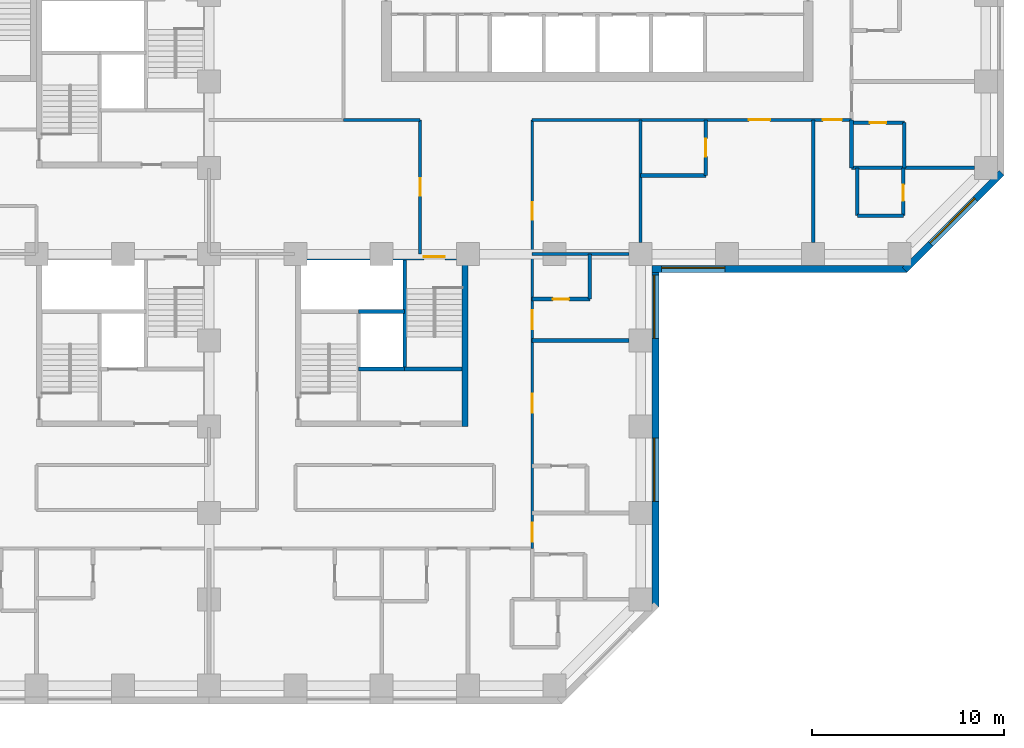
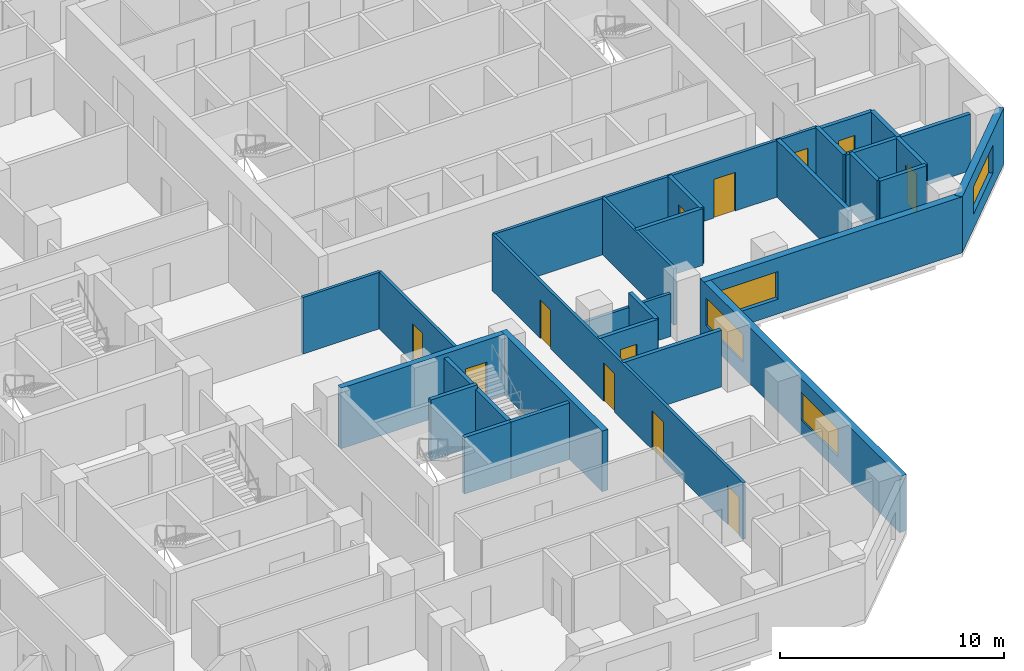
# One storey, part 5 of 12: 28 walls, 12 doors, 4 windows, 16 openings.
"""IFC4 building model written with IfcOpenShell, lengths in metres."""

from ifc_helpers import new_model, si_unit, direction, frame, frame_2d, origin, place, context, subcontext, project, spatial, rectangle, extrude, material, layer, layer_set, constituent, constituent_set, type_object, element, fill, save


model = new_model("IFC4")

# Units and contexts
model_context = context("Model", 3, precision=1e-05, world=origin(), true_north=direction((0.0, 1.0)))
body_context = subcontext(model_context, "Body", "Model", "MODEL_VIEW")
ifc_project = project(units=[si_unit("LENGTHUNIT", "METRE"), si_unit("AREAUNIT", "SQUARE_METRE"), si_unit("VOLUMEUNIT", "CUBIC_METRE"), si_unit("PLANEANGLEUNIT", "RADIAN"), si_unit("MASSUNIT", "GRAM", prefix="KILO")], contexts=[model_context])

# Site, building, storey
site_placement = place(None, origin())
site = spatial("IfcSite", under=ifc_project, at=site_placement, CompositionType="ELEMENT")
building_placement = place(site_placement, origin())
building = spatial("IfcBuilding", under=site, at=building_placement, Name="Quoin Convention Tower", CompositionType="ELEMENT")
storey_placement = place(building_placement, frame((0.0, 0.0, 33.0)))
storey = spatial("IfcBuildingStorey", under=building, at=storey_placement, Name="L07", CompositionType="ELEMENT", Elevation=33.0)

# Wall, openings, windows
ifc_material_1 = material(Name="Brick masonry", Category="masonry")
ifc_layer_1 = layer(ifc_material_1, 0.35009765625)
ifc_layer_set_1 = layer_set([ifc_layer_1], Name="Brick masonry")
wall_type_1 = type_object("IfcWallType", Name="Brick facade wall", PredefinedType="STANDARD", material=ifc_layer_set_1)
wall_1_placement = place(storey_placement, frame((59.27490234375, 22.1064453125, 0.0), z_axis=(0.0, 0.0, 1.0), x_axis=(0.0, 1.0, 0.0)))
wall_1 = element("IfcWall", 1, at=wall_1_placement, inside=storey, type_object=wall_type_1, Name="fw-L07-58500_22500", PredefinedType="STANDARD", context=body_context, shape_type="SweptSolid", body=[
    extrude(rectangle(XDim=17.79345703125, YDim=0.35009765625, at=frame_2d((8.896728515625, 0.0))), origin(), (0.0, 0.0, 1.0), 3.054931640625),
])
opening_1_placement = place(wall_1_placement, frame((5.493408203125, 0.0, 0.800048828125)))
opening_1 = element("IfcOpeningElement", 2, at=opening_1_placement, cuts=wall_1, Name="Opening W-01", PredefinedType="OPENING", context=body_context, shape_type="SweptSolid", body=[
    extrude(rectangle(XDim=3.300048828125, YDim=1.5, at=frame_2d((1.64990234375, 0.75))), frame((0.0, 0.18505859375, 0.0), z_axis=(0.0, -1.0, 0.0), x_axis=(1.0, 0.0, 0.0)), (0.0, 0.0, 1.0), 0.3701171875),
])
opening_2_placement = place(wall_1_placement, frame((13.993408203125, 0.0, 0.800048828125)))
opening_2 = element("IfcOpeningElement", 3, at=opening_2_placement, cuts=wall_1, Name="Opening W-01", PredefinedType="OPENING", context=body_context, shape_type="SweptSolid", body=[
    extrude(rectangle(XDim=3.300048828125, YDim=1.5, at=frame_2d((1.64990234375, 0.75))), frame((0.0, 0.18505859375, 0.0), z_axis=(0.0, -1.0, 0.0), x_axis=(1.0, 0.0, 0.0)), (0.0, 0.0, 1.0), 0.3701171875),
])
ifc_material_2 = material(Name="Aluminium", Category="aluminium")
ifc_constituent_1 = constituent(ifc_material_2, Name="Frame")
ifc_material_3 = material(Name="Insulated glass", Category="glass")
ifc_constituent_2 = constituent(ifc_material_3, Name="Glazing")
ifc_constituent_set = constituent_set(constituents=[ifc_constituent_1, ifc_constituent_2], Name="Aluminium")
window_type = type_object("IfcWindowType", Name="Hotel strip window", PartitioningType="DOUBLE_PANEL_VERTICAL", PredefinedType="WINDOW", material=ifc_constituent_set)
window_1_placement = place(opening_1_placement, origin())
window_1 = element("IfcWindow", 4, at=window_1_placement, inside=storey, type_object=window_type, Name="win-L07-59275_29250", OverallHeight=1.5, OverallWidth=3.300048828125, PartitioningType="SINGLE_PANEL", PredefinedType="WINDOW", context=body_context, shape_type="SweptSolid", body=[
    extrude(rectangle(XDim=3.300048828125, YDim=1.5, at=frame_2d((1.64990234375, 0.75))), frame((0.0, 0.0849609375, 0.0), z_axis=(0.0, -1.0, 0.0), x_axis=(1.0, 0.0, 0.0)), (0.0, 0.0, 1.0), 0.06005859375),
])
fill(opening_1, window_1)
window_2_placement = place(opening_2_placement, origin())
window_2 = element("IfcWindow", 5, at=window_2_placement, inside=storey, type_object=window_type, Name="win-L07-59275_38250", OverallHeight=1.5, OverallWidth=3.300048828125, PartitioningType="SINGLE_PANEL", PredefinedType="WINDOW", context=body_context, shape_type="SweptSolid", body=[
    extrude(rectangle(XDim=3.300048828125, YDim=1.5, at=frame_2d((1.64990234375, 0.75))), frame((0.0, 0.0849609375, 0.0), z_axis=(0.0, -1.0, 0.0), x_axis=(1.0, 0.0, 0.0)), (0.0, 0.0, 1.0), 0.06005859375),
])
fill(opening_2, window_2)

# Wall, opening, window
wall_2_placement = place(storey_placement, frame((59.10009765625, 39.72509765625, 0.0), z_axis=(0.0, 0.0, 1.0), x_axis=(1.0, 0.0, 0.0)))
wall_2 = element("IfcWall", 6, at=wall_2_placement, inside=storey, type_object=wall_type_1, Name="fw-L07-58500_40500", PredefinedType="STANDARD", context=body_context, shape_type="SweptSolid", body=[
    extrude(rectangle(XDim=13.29345703125, YDim=0.35009765625, at=frame_2d((6.646728515625, 0.0))), origin(), (0.0, 0.0, 1.0), 3.054931640625),
])
opening_3_placement = place(wall_2_placement, frame((0.5, 0.0, 0.800048828125)))
opening_3 = element("IfcOpeningElement", 7, at=opening_3_placement, cuts=wall_2, Name="Opening W-01", PredefinedType="OPENING", context=body_context, shape_type="SweptSolid", body=[
    extrude(rectangle(XDim=3.300048828125, YDim=1.5, at=frame_2d((1.64990234375, 0.75))), frame((0.0, 0.18505859375, 0.0), z_axis=(0.0, -1.0, 0.0), x_axis=(1.0, 0.0, 0.0)), (0.0, 0.0, 1.0), 0.3701171875),
])
window_3_placement = place(opening_3_placement, origin())
window_3 = element("IfcWindow", 8, at=window_3_placement, inside=storey, type_object=window_type, Name="win-L07-60750_39725", OverallHeight=1.5, OverallWidth=3.300048828125, PartitioningType="SINGLE_PANEL", PredefinedType="WINDOW", context=body_context, shape_type="SweptSolid", body=[
    extrude(rectangle(XDim=3.300048828125, YDim=1.5, at=frame_2d((1.64990234375, 0.75))), frame((0.0, 0.0849609375, 0.0), z_axis=(0.0, -1.0, 0.0), x_axis=(1.0, 0.0, 0.0)), (0.0, 0.0, 1.0), 0.06005859375),
])
fill(opening_3, window_3)

wall_3_placement = place(storey_placement, frame((72.269775390625, 39.673583984375, 0.0), z_axis=(0.0, 0.0, 1.0), x_axis=(0.707106781187, 0.707106781187, 0.0)))
wall_3 = element("IfcWall", 9, at=wall_3_placement, inside=storey, type_object=wall_type_1, Name="fw-L07-72000_40500", PredefinedType="STANDARD", context=body_context, shape_type="SweptSolid", body=[
    extrude(rectangle(XDim=7.151123046875, YDim=0.35009765625, at=frame_2d((3.57568359375, 0.0))), origin(), (0.0, 0.0, 1.0), 3.054931640625),
])
opening_4_placement = place(wall_3_placement, frame((1.925537109375, 0.0, 0.800048828125)))
opening_4 = element("IfcOpeningElement", 10, at=opening_4_placement, cuts=wall_3, Name="Opening W-01", PredefinedType="OPENING", context=body_context, shape_type="SweptSolid", body=[
    extrude(rectangle(XDim=3.300048828125, YDim=1.5, at=frame_2d((1.64990234375, 0.75))), frame((0.0, 0.18505859375, 0.0), z_axis=(0.0, -1.0, 0.0), x_axis=(1.0, 0.0, 0.0)), (0.0, 0.0, 1.0), 0.3701171875),
])
window_4_placement = place(opening_4_placement, origin())
window_4 = element("IfcWindow", 11, at=window_4_placement, inside=storey, type_object=window_type, Name="win-L07-74798_42202", OverallHeight=1.5, OverallWidth=3.300048828125, PartitioningType="SINGLE_PANEL", PredefinedType="WINDOW", context=body_context, shape_type="SweptSolid", body=[
    extrude(rectangle(XDim=3.300048828125, YDim=1.5, at=frame_2d((1.64990234375, 0.75))), frame((0.0, 0.0849609375, 0.0), z_axis=(0.0, -1.0, 0.0), x_axis=(1.0, 0.0, 0.0)), (0.0, 0.0, 1.0), 0.06005859375),
])
fill(opening_4, window_4)

# Walls
ifc_material_4 = material(Name="Concrete C50", Category="concrete")
ifc_layer_2 = layer(ifc_material_4, 0.199951171875)
ifc_layer_set_2 = layer_set([ifc_layer_2], Name="Concrete C50")
wall_type_2 = type_object("IfcWallType", Name="Core shaft wall", PredefinedType="SOLIDWALL", material=ifc_layer_set_2)
wall_4_placement = place(storey_placement, frame((43.800048828125, 34.5, 0.0), z_axis=(0.0, 0.0, 1.0), x_axis=(1.0, 0.0, 0.0)))
element("IfcWall", 12, at=wall_4_placement, inside=storey, type_object=wall_type_2, Name="cr-P3-L07-h3000_3300", PredefinedType="SOLIDWALL", context=body_context, shape_type="SweptSolid", body=[
    extrude(rectangle(XDim=2.39990234375, YDim=0.199951171875, at=frame_2d((1.199951171875, 0.0))), origin(), (0.0, 0.0, 1.0), 3.080078125),
])
wall_5_placement = place(storey_placement, frame((46.199951171875, 34.5, 0.0), z_axis=(0.0, 0.0, 1.0), x_axis=(1.0, 0.0, 0.0)))
element("IfcWall", 13, at=wall_5_placement, inside=storey, type_object=wall_type_2, Name="cr-P3-L07-h3000_5700", PredefinedType="SOLIDWALL", context=body_context, shape_type="SweptSolid", body=[
    extrude(rectangle(XDim=3.0, YDim=0.199951171875, at=frame_2d((1.5, 0.0))), origin(), (0.0, 0.0, 1.0), 3.080078125),
])
wall_6_placement = place(storey_placement, frame((46.199951171875, 34.5, 0.0), z_axis=(0.0, 0.0, 1.0), x_axis=(0.0, 1.0, 0.0)))
element("IfcWall", 14, at=wall_6_placement, inside=storey, type_object=wall_type_2, Name="cr-P3-L07-v5700_3000", PredefinedType="SOLIDWALL", context=body_context, shape_type="SweptSolid", body=[
    extrude(rectangle(XDim=5.699951171875, YDim=0.199951171875, at=frame_2d((2.85009765625, 0.0))), origin(), (0.0, 0.0, 1.0), 3.080078125),
])
ifc_layer_3 = layer(ifc_material_4, 0.199951171875)
ifc_layer_set_3 = layer_set([ifc_layer_3], Name="Concrete C50")
wall_type_3 = type_object("IfcWallType", Name="Core shaft wall to the floor level over", PredefinedType="SOLIDWALL", material=ifc_layer_set_3)
wall_7_placement = place(storey_placement, frame((43.800048828125, 37.5, 0.0), z_axis=(0.0, 0.0, 1.0), x_axis=(1.0, 0.0, 0.0)))
element("IfcWall", 15, at=wall_7_placement, inside=storey, type_object=wall_type_3, Name="cr-P3-L07-h6000_3300", PredefinedType="SOLIDWALL", context=body_context, shape_type="SweptSolid", body=[
    extrude(rectangle(XDim=2.39990234375, YDim=0.199951171875, at=frame_2d((1.199951171875, 0.0))), origin(), (0.0, 0.0, 1.0), 3.300048828125),
])

# Wall, opening, door
ifc_material_5 = material(Name="Concrete C80", Category="concrete")
ifc_layer_4 = layer(ifc_material_5, 0.300048828125)
ifc_layer_set_4 = layer_set([ifc_layer_4], Name="Concrete C80")
wall_type_4 = type_object("IfcWallType", Name="RC CORE WALL 300 C80", PredefinedType="SHEAR", material=ifc_layer_set_4)
wall_8_placement = place(storey_placement, frame((40.800048828125, 40.35009765625, 0.0), z_axis=(0.0, 0.0, 1.0), x_axis=(1.0, 0.0, 0.0)))
wall_8 = element("IfcWall", 16, at=wall_8_placement, inside=storey, type_object=wall_type_4, Name="cwl-P3-L07-N", PredefinedType="SHEAR", context=body_context, shape_type="SweptSolid", body=[
    extrude(rectangle(XDim=8.39990234375, YDim=0.300048828125, at=frame_2d((4.199951171875, 0.0))), origin(), (0.0, 0.0, 1.0), 3.300048828125),
])
opening_5_placement = place(wall_8_placement, frame((6.39990234375, 0.0, 0.0)))
opening_5 = element("IfcOpeningElement", 17, at=opening_5_placement, cuts=wall_8, Name="Opening SD6", PredefinedType="OPENING", context=body_context, shape_type="SweptSolid", body=[
    extrude(rectangle(XDim=1.10009765625, YDim=2.10009765625, at=frame_2d((0.550048828125, 1.050048828125))), frame((0.0, 0.159912109375, 0.0), z_axis=(0.0, -1.0, 0.0), x_axis=(1.0, 0.0, 0.0)), (0.0, 0.0, 1.0), 0.320068359375),
])
ifc_material_6 = material(Name="Steel door leaf", Category="steel")
door_type_1 = type_object("IfcDoorType", Name="Stair door 1100 x 2100", OperationType="SINGLE_SWING_RIGHT", PredefinedType="DOOR", material=ifc_material_6)
door_1_placement = place(opening_5_placement, frame((1.10009765625, 0.0, 0.0), z_axis=(0.0, 0.0, 1.0), x_axis=(-1.0, 0.0, 0.0)))
door_1 = element("IfcDoor", 18, at=door_1_placement, inside=storey, type_object=door_type_1, Name="cd-P3-L07-SB-N", OperationType="SINGLE_SWING_LEFT", OverallHeight=2.10009765625, OverallWidth=1.10009765625, PredefinedType="DOOR", context=body_context, shape_type="SweptSolid", body=[
    extrude(rectangle(XDim=1.10009765625, YDim=2.10009765625, at=frame_2d((0.550048828125, 1.050048828125))), frame((0.0, 0.02490234375, 0.0), z_axis=(0.0, -1.0, 0.0), x_axis=(1.0, 0.0, 0.0)), (0.0, 0.0, 1.0), 0.050048828125),
])
fill(opening_5, door_1)

# Walls
wall_9_placement = place(storey_placement, frame((49.35009765625, 31.5, 0.0), z_axis=(0.0, 0.0, 1.0), x_axis=(0.0, 1.0, 0.0)))
element("IfcWall", 19, at=wall_9_placement, inside=storey, type_object=wall_type_4, Name="cwl-P3-L07-E", PredefinedType="SHEAR", context=body_context, shape_type="SweptSolid", body=[
    extrude(rectangle(XDim=9.0, YDim=0.300048828125, at=frame_2d((4.5, 0.0))), origin(), (0.0, 0.0, 1.0), 3.300048828125),
])
ifc_layer_5 = layer(ifc_material_4, 0.199951171875)
ifc_layer_set_5 = layer_set([ifc_layer_5], Name="Concrete C50")
wall_type_5 = type_object("IfcWallType", Name="RC party wall", PredefinedType="SOLIDWALL", material=ifc_layer_set_5)
wall_10_placement = place(storey_placement, frame((52.85009765625, 36.0, 0.0), z_axis=(0.0, 0.0, 1.0), x_axis=(1.0, 0.0, 0.0)))
element("IfcWall", 20, at=wall_10_placement, inside=storey, type_object=wall_type_5, Name="pw-L07-073", PredefinedType="SOLIDWALL", context=body_context, shape_type="SweptSolid", body=[
    extrude(rectangle(XDim=5.0498046875, YDim=0.199951171875, at=frame_2d((2.52490234375, 0.0))), origin(), (0.0, 0.0, 1.0), 3.080078125),
])

# Wall, opening, door
wall_11_placement = place(storey_placement, frame((52.85009765625, 38.14990234375, 0.0), z_axis=(0.0, 0.0, 1.0), x_axis=(1.0, 0.0, 0.0)))
wall_11 = element("IfcWall", 21, at=wall_11_placement, inside=storey, type_object=wall_type_5, Name="pw-L07-074", PredefinedType="SOLIDWALL", context=body_context, shape_type="SweptSolid", body=[
    extrude(rectangle(XDim=3.0, YDim=0.199951171875, at=frame_2d((1.5, 0.0))), origin(), (0.0, 0.0, 1.0), 3.080078125),
])
opening_6_placement = place(wall_11_placement, frame((1.074951171875, 0.0, 0.0)))
opening_6 = element("IfcOpeningElement", 22, at=opening_6_placement, cuts=wall_11, Name="Opening DHOTEL-C-53", PredefinedType="OPENING", context=body_context, shape_type="SweptSolid", body=[
    extrude(rectangle(XDim=0.85009765625, YDim=2.10009765625, at=frame_2d((0.425048828125, 1.050048828125))), frame((0.0, 0.10986328125, 0.0), z_axis=(0.0, -1.0, 0.0), x_axis=(1.0, 0.0, 0.0)), (0.0, 0.0, 1.0), 0.219970703125),
])
door_type_2 = type_object("IfcDoorType", Name="Bathroom door", OperationType="SINGLE_SWING_LEFT", PredefinedType="DOOR", material=ifc_material_6)
door_2_placement = place(opening_6_placement, frame((0.85009765625, 0.0, 0.0), z_axis=(0.0, 0.0, 1.0), x_axis=(-1.0, 0.0, 0.0)))
door_2 = element("IfcDoor", 23, at=door_2_placement, inside=storey, type_object=door_type_2, Name="dr-L07-028", OperationType="SINGLE_SWING_RIGHT", OverallHeight=2.10009765625, OverallWidth=0.85009765625, PredefinedType="DOOR", context=body_context, shape_type="SweptSolid", body=[
    extrude(rectangle(XDim=0.85009765625, YDim=2.10009765625, at=frame_2d((0.425048828125, 1.050048828125))), frame((0.0, 0.02490234375, 0.0), z_axis=(0.0, -1.0, 0.0), x_axis=(1.0, 0.0, 0.0)), (0.0, 0.0, 1.0), 0.050048828125),
])
fill(opening_6, door_2)

# Walls
wall_12_placement = place(storey_placement, frame((55.85009765625, 38.14990234375, 0.0), z_axis=(0.0, 0.0, 1.0), x_axis=(0.0, 1.0, 0.0)))
element("IfcWall", 24, at=wall_12_placement, inside=storey, type_object=wall_type_5, Name="pw-L07-075", PredefinedType="SOLIDWALL", context=body_context, shape_type="SweptSolid", body=[
    extrude(rectangle(XDim=2.35009765625, YDim=0.199951171875, at=frame_2d((1.175048828125, 0.0))), origin(), (0.0, 0.0, 1.0), 3.080078125),
])
wall_13_placement = place(storey_placement, frame((67.5, 41.10009765625, 0.0), z_axis=(0.0, 0.0, 1.0), x_axis=(0.0, 1.0, 0.0)))
element("IfcWall", 25, at=wall_13_placement, inside=storey, type_object=wall_type_5, Name="pw-L07-078", PredefinedType="SOLIDWALL", context=body_context, shape_type="SweptSolid", body=[
    extrude(rectangle(XDim=6.39990234375, YDim=0.199951171875, at=frame_2d((3.199951171875, 0.0))), origin(), (0.0, 0.0, 1.0), 3.080078125),
])
wall_14_placement = place(storey_placement, frame((69.800048828125, 42.5, 0.0), z_axis=(0.0, 0.0, 1.0), x_axis=(1.0, 0.0, 0.0)))
element("IfcWall", 26, at=wall_14_placement, inside=storey, type_object=wall_type_5, Name="pw-L07-079", PredefinedType="SOLIDWALL", context=body_context, shape_type="SweptSolid", body=[
    extrude(rectangle(XDim=2.39990234375, YDim=0.199951171875, at=frame_2d((1.199951171875, 0.0))), origin(), (0.0, 0.0, 1.0), 3.080078125),
])
wall_15_placement = place(storey_placement, frame((69.800048828125, 42.5, 0.0), z_axis=(0.0, 0.0, 1.0), x_axis=(0.0, 1.0, 0.0)))
element("IfcWall", 27, at=wall_15_placement, inside=storey, type_object=wall_type_5, Name="pw-L07-080", PredefinedType="SOLIDWALL", context=body_context, shape_type="SweptSolid", body=[
    extrude(rectangle(XDim=2.5, YDim=0.199951171875, at=frame_2d((1.25, 0.0))), origin(), (0.0, 0.0, 1.0), 3.080078125),
])

# Wall, opening, door
wall_16_placement = place(storey_placement, frame((72.199951171875, 42.5, 0.0), z_axis=(0.0, 0.0, 1.0), x_axis=(0.0, 1.0, 0.0)))
wall_16 = element("IfcWall", 28, at=wall_16_placement, inside=storey, type_object=wall_type_5, Name="pw-L07-081", PredefinedType="SOLIDWALL", context=body_context, shape_type="SweptSolid", body=[
    extrude(rectangle(XDim=2.5, YDim=0.199951171875, at=frame_2d((1.25, 0.0))), origin(), (0.0, 0.0, 1.0), 3.080078125),
])
opening_7_placement = place(wall_16_placement, frame((0.77490234375, 0.0, 0.0)))
opening_7 = element("IfcOpeningElement", 29, at=opening_7_placement, cuts=wall_16, Name="Opening DHOTEL-C-55", PredefinedType="OPENING", context=body_context, shape_type="SweptSolid", body=[
    extrude(rectangle(XDim=0.85009765625, YDim=2.10009765625, at=frame_2d((0.425048828125, 1.050048828125))), frame((0.0, 0.10986328125, 0.0), z_axis=(0.0, -1.0, 0.0), x_axis=(1.0, 0.0, 0.0)), (0.0, 0.0, 1.0), 0.219970703125),
])
door_3_placement = place(opening_7_placement, frame((0.85009765625, 0.0, 0.0), z_axis=(0.0, 0.0, 1.0), x_axis=(-1.0, 0.0, 0.0)))
door_3 = element("IfcDoor", 30, at=door_3_placement, inside=storey, type_object=door_type_2, Name="dr-L07-070", OperationType="SINGLE_SWING_LEFT", OverallHeight=2.10009765625, OverallWidth=0.85009765625, PredefinedType="DOOR", context=body_context, shape_type="SweptSolid", body=[
    extrude(rectangle(XDim=0.85009765625, YDim=2.10009765625, at=frame_2d((0.425048828125, 1.050048828125))), frame((0.0, 0.02490234375, 0.0), z_axis=(0.0, -1.0, 0.0), x_axis=(1.0, 0.0, 0.0)), (0.0, 0.0, 1.0), 0.050048828125),
])
fill(opening_7, door_3)

# Wall
wall_17_placement = place(storey_placement, frame((58.5, 44.60009765625, 0.0), z_axis=(0.0, 0.0, 1.0), x_axis=(1.0, 0.0, 0.0)))
element("IfcWall", 31, at=wall_17_placement, inside=storey, type_object=wall_type_5, Name="pw-L07-084", PredefinedType="SOLIDWALL", context=body_context, shape_type="SweptSolid", body=[
    extrude(rectangle(XDim=3.39990234375, YDim=0.199951171875, at=frame_2d((1.699951171875, 0.0))), origin(), (0.0, 0.0, 1.0), 3.080078125),
])

# Wall, opening, door
wall_18_placement = place(storey_placement, frame((61.89990234375, 44.60009765625, 0.0), z_axis=(0.0, 0.0, 1.0), x_axis=(0.0, 1.0, 0.0)))
wall_18 = element("IfcWall", 32, at=wall_18_placement, inside=storey, type_object=wall_type_5, Name="pw-L07-085", PredefinedType="SOLIDWALL", context=body_context, shape_type="SweptSolid", body=[
    extrude(rectangle(XDim=2.89990234375, YDim=0.199951171875, at=frame_2d((1.449951171875, 0.0))), origin(), (0.0, 0.0, 1.0), 3.080078125),
])
opening_8_placement = place(wall_18_placement, frame((0.97509765625, 0.0, 0.0)))
opening_8 = element("IfcOpeningElement", 33, at=opening_8_placement, cuts=wall_18, Name="Opening DHOTEL-C-57", PredefinedType="OPENING", context=body_context, shape_type="SweptSolid", body=[
    extrude(rectangle(XDim=0.949951171875, YDim=2.10009765625, at=frame_2d((0.47509765625, 1.050048828125))), frame((0.0, 0.10986328125, 0.0), z_axis=(0.0, -1.0, 0.0), x_axis=(1.0, 0.0, 0.0)), (0.0, 0.0, 1.0), 0.219970703125),
])
door_type_3 = type_object("IfcDoorType", Name="Accessible bathroom door", OperationType="SINGLE_SWING_LEFT", PredefinedType="DOOR", material=ifc_material_6)
door_4_placement = place(opening_8_placement, frame((0.949951171875, 0.0, 0.0), z_axis=(0.0, 0.0, 1.0), x_axis=(-1.0, 0.0, 0.0)))
door_4 = element("IfcDoor", 34, at=door_4_placement, inside=storey, type_object=door_type_3, Name="dr-L07-058", OperationType="SINGLE_SWING_LEFT", OverallHeight=2.10009765625, OverallWidth=0.949951171875, PredefinedType="DOOR", context=body_context, shape_type="SweptSolid", body=[
    extrude(rectangle(XDim=0.949951171875, YDim=2.10009765625, at=frame_2d((0.47509765625, 1.050048828125))), frame((0.0, 0.02490234375, 0.0), z_axis=(0.0, -1.0, 0.0), x_axis=(1.0, 0.0, 0.0)), (0.0, 0.0, 1.0), 0.050048828125),
])
fill(opening_8, door_4)

# Walls
wall_19_placement = place(storey_placement, frame((69.5, 45.0, 0.0), z_axis=(0.0, 0.0, 1.0), x_axis=(1.0, 0.0, 0.0)))
element("IfcWall", 35, at=wall_19_placement, inside=storey, type_object=wall_type_5, Name="pw-L07-088", PredefinedType="SOLIDWALL", context=body_context, shape_type="SweptSolid", body=[
    extrude(rectangle(XDim=6.39990234375, YDim=0.199951171875, at=frame_2d((3.199951171875, 0.0))), origin(), (0.0, 0.0, 1.0), 3.080078125),
])
wall_20_placement = place(storey_placement, frame((69.5, 45.0, 0.0), z_axis=(0.0, 0.0, 1.0), x_axis=(0.0, 1.0, 0.0)))
element("IfcWall", 36, at=wall_20_placement, inside=storey, type_object=wall_type_5, Name="pw-L07-089", PredefinedType="SOLIDWALL", context=body_context, shape_type="SweptSolid", body=[
    extrude(rectangle(XDim=2.5, YDim=0.199951171875, at=frame_2d((1.25, 0.0))), origin(), (0.0, 0.0, 1.0), 3.080078125),
])
wall_21_placement = place(storey_placement, frame((72.25, 45.0, 0.0), z_axis=(0.0, 0.0, 1.0), x_axis=(0.0, 1.0, 0.0)))
element("IfcWall", 37, at=wall_21_placement, inside=storey, type_object=wall_type_5, Name="pw-L07-090", PredefinedType="SOLIDWALL", context=body_context, shape_type="SweptSolid", body=[
    extrude(rectangle(XDim=2.35009765625, YDim=0.199951171875, at=frame_2d((1.175048828125, 0.0))), origin(), (0.0, 0.0, 1.0), 3.080078125),
])

# Wall, opening, door
wall_22_placement = place(storey_placement, frame((69.5, 47.35009765625, 0.0), z_axis=(0.0, 0.0, 1.0), x_axis=(1.0, 0.0, 0.0)))
wall_22 = element("IfcWall", 38, at=wall_22_placement, inside=storey, type_object=wall_type_5, Name="pw-L07-092", PredefinedType="SOLIDWALL", context=body_context, shape_type="SweptSolid", body=[
    extrude(rectangle(XDim=2.75, YDim=0.199951171875, at=frame_2d((1.375, 0.0))), origin(), (0.0, 0.0, 1.0), 3.080078125),
])
opening_9_placement = place(wall_22_placement, frame((0.949951171875, 0.0, 0.0)))
opening_9 = element("IfcOpeningElement", 39, at=opening_9_placement, cuts=wall_22, Name="Opening DHOTEL-C-59", PredefinedType="OPENING", context=body_context, shape_type="SweptSolid", body=[
    extrude(rectangle(XDim=0.85009765625, YDim=2.10009765625, at=frame_2d((0.425048828125, 1.050048828125))), frame((0.0, 0.10986328125, 0.0), z_axis=(0.0, -1.0, 0.0), x_axis=(1.0, 0.0, 0.0)), (0.0, 0.0, 1.0), 0.219970703125),
])
door_5_placement = place(opening_9_placement, origin())
door_5 = element("IfcDoor", 40, at=door_5_placement, inside=storey, type_object=door_type_2, Name="dr-L07-056", OperationType="SINGLE_SWING_LEFT", OverallHeight=2.10009765625, OverallWidth=0.85009765625, PredefinedType="DOOR", context=body_context, shape_type="SweptSolid", body=[
    extrude(rectangle(XDim=0.85009765625, YDim=2.10009765625, at=frame_2d((0.425048828125, 1.050048828125))), frame((0.0, 0.02490234375, 0.0), z_axis=(0.0, -1.0, 0.0), x_axis=(1.0, 0.0, 0.0)), (0.0, 0.0, 1.0), 0.050048828125),
])
fill(opening_9, door_5)

# Wall, openings, doors
ifc_material_7 = material(Name="Plasterboard")
ifc_layer_6 = layer(ifc_material_7, 0.012451171875, Name="Finish")
ifc_material_8 = material(Name="Steel stud framing", Category="steel")
ifc_layer_7 = layer(ifc_material_8, 0.125, Name="Structure")
ifc_layer_8 = layer(ifc_material_7, 0.012451171875, Name="Finish")
ifc_layer_set_6 = layer_set([ifc_layer_6, ifc_layer_7, ifc_layer_8], Name="Steel stud framing")
wall_type_6 = type_object("IfcWallType", Name="corridor partition", PredefinedType="PARTITIONING", material=ifc_layer_set_6)
wall_23_placement = place(storey_placement, frame((52.85009765625, 25.14990234375, 0.0), z_axis=(0.0, 0.0, 1.0), x_axis=(0.0, 1.0, 0.0)))
wall_23 = element("IfcWall", 41, at=wall_23_placement, inside=storey, type_object=wall_type_6, Name="pw-L07-005", PredefinedType="PARTITIONING", context=body_context, shape_type="SweptSolid", body=[
    extrude(rectangle(XDim=22.35009765625, YDim=0.14990234375, at=frame_2d((11.175048828125, 0.0))), origin(), (0.0, 0.0, 1.0), 3.080078125),
])
opening_10_placement = place(wall_23_placement, frame((0.346923828125, 0.0, 0.0)))
opening_10 = element("IfcOpeningElement", 42, at=opening_10_placement, cuts=wall_23, Name="Opening DHOTEL-C-13", PredefinedType="OPENING", context=body_context, shape_type="SweptSolid", body=[
    extrude(rectangle(XDim=1.0, YDim=2.10009765625, at=frame_2d((0.5, 1.050048828125))), frame((0.0, 0.0849609375, 0.0), z_axis=(0.0, -1.0, 0.0), x_axis=(1.0, 0.0, 0.0)), (0.0, 0.0, 1.0), 0.169921875),
])
opening_11_placement = place(wall_23_placement, frame((7.074951171875, 0.0, 0.0)))
opening_11 = element("IfcOpeningElement", 43, at=opening_11_placement, cuts=wall_23, Name="Opening DHOTEL-C-14", PredefinedType="OPENING", context=body_context, shape_type="SweptSolid", body=[
    extrude(rectangle(XDim=1.0, YDim=2.10009765625, at=frame_2d((0.5, 1.050048828125))), frame((0.0, 0.0849609375, 0.0), z_axis=(0.0, -1.0, 0.0), x_axis=(1.0, 0.0, 0.0)), (0.0, 0.0, 1.0), 0.169921875),
])
opening_12_placement = place(wall_23_placement, frame((11.425048828125, 0.0, 0.0)))
opening_12 = element("IfcOpeningElement", 44, at=opening_12_placement, cuts=wall_23, Name="Opening DHOTEL-C-15", PredefinedType="OPENING", context=body_context, shape_type="SweptSolid", body=[
    extrude(rectangle(XDim=1.0, YDim=2.10009765625, at=frame_2d((0.5, 1.050048828125))), frame((0.0, 0.0849609375, 0.0), z_axis=(0.0, -1.0, 0.0), x_axis=(1.0, 0.0, 0.0)), (0.0, 0.0, 1.0), 0.169921875),
])
opening_13_placement = place(wall_23_placement, frame((17.14990234375, 0.0, 0.0)))
opening_13 = element("IfcOpeningElement", 45, at=opening_13_placement, cuts=wall_23, Name="Opening DHOTEL-C-16", PredefinedType="OPENING", context=body_context, shape_type="SweptSolid", body=[
    extrude(rectangle(XDim=0.89990234375, YDim=2.10009765625, at=frame_2d((0.449951171875, 1.050048828125))), frame((0.0, 0.0849609375, 0.0), z_axis=(0.0, -1.0, 0.0), x_axis=(1.0, 0.0, 0.0)), (0.0, 0.0, 1.0), 0.169921875),
])
door_type_4 = type_object("IfcDoorType", Name="Hotel room door", OperationType="SINGLE_SWING_LEFT", PredefinedType="DOOR", material=ifc_material_6)
door_6_placement = place(opening_10_placement, frame((1.0, 0.0, 0.0), z_axis=(0.0, 0.0, 1.0), x_axis=(-1.0, 0.0, 0.0)))
door_6 = element("IfcDoor", 46, at=door_6_placement, inside=storey, type_object=door_type_4, Name="dr-L07-023", OperationType="SINGLE_SWING_RIGHT", OverallHeight=2.10009765625, OverallWidth=1.0, PredefinedType="DOOR", context=body_context, shape_type="SweptSolid", body=[
    extrude(rectangle(XDim=1.0, YDim=2.10009765625, at=frame_2d((0.5, 1.050048828125))), frame((0.0, 0.02490234375, 0.0), z_axis=(0.0, -1.0, 0.0), x_axis=(1.0, 0.0, 0.0)), (0.0, 0.0, 1.0), 0.050048828125),
])
fill(opening_10, door_6)
door_7_placement = place(opening_11_placement, frame((1.0, 0.0, 0.0), z_axis=(0.0, 0.0, 1.0), x_axis=(-1.0, 0.0, 0.0)))
door_7 = element("IfcDoor", 47, at=door_7_placement, inside=storey, type_object=door_type_4, Name="dr-L07-025", OperationType="SINGLE_SWING_LEFT", OverallHeight=2.10009765625, OverallWidth=1.0, PredefinedType="DOOR", context=body_context, shape_type="SweptSolid", body=[
    extrude(rectangle(XDim=1.0, YDim=2.10009765625, at=frame_2d((0.5, 1.050048828125))), frame((0.0, 0.02490234375, 0.0), z_axis=(0.0, -1.0, 0.0), x_axis=(1.0, 0.0, 0.0)), (0.0, 0.0, 1.0), 0.050048828125),
])
fill(opening_11, door_7)
door_8_placement = place(opening_12_placement, frame((1.0, 0.0, 0.0), z_axis=(0.0, 0.0, 1.0), x_axis=(-1.0, 0.0, 0.0)))
door_8 = element("IfcDoor", 48, at=door_8_placement, inside=storey, type_object=door_type_4, Name="dr-L07-027", OperationType="SINGLE_SWING_LEFT", OverallHeight=2.10009765625, OverallWidth=1.0, PredefinedType="DOOR", context=body_context, shape_type="SweptSolid", body=[
    extrude(rectangle(XDim=1.0, YDim=2.10009765625, at=frame_2d((0.5, 1.050048828125))), frame((0.0, 0.02490234375, 0.0), z_axis=(0.0, -1.0, 0.0), x_axis=(1.0, 0.0, 0.0)), (0.0, 0.0, 1.0), 0.050048828125),
])
fill(opening_12, door_8)
door_type_5 = type_object("IfcDoorType", Name="Single room door", OperationType="SINGLE_SWING_RIGHT", PredefinedType="DOOR", material=ifc_material_6)
door_9_placement = place(opening_13_placement, frame((0.89990234375, 0.0, 0.0), z_axis=(0.0, 0.0, 1.0), x_axis=(-1.0, 0.0, 0.0)))
door_9 = element("IfcDoor", 49, at=door_9_placement, inside=storey, type_object=door_type_5, Name="dr-L07-w01", OperationType="SINGLE_SWING_RIGHT", OverallHeight=2.10009765625, OverallWidth=0.89990234375, PredefinedType="DOOR", context=body_context, shape_type="SweptSolid", body=[
    extrude(rectangle(XDim=0.89990234375, YDim=2.10009765625, at=frame_2d((0.449951171875, 1.050048828125))), frame((0.0, 0.02490234375, 0.0), z_axis=(0.0, -1.0, 0.0), x_axis=(1.0, 0.0, 0.0)), (0.0, 0.0, 1.0), 0.050048828125),
])
fill(opening_13, door_9)

# Wall, opening, door
wall_24_placement = place(storey_placement, frame((47.0, 40.5, 0.0), z_axis=(0.0, 0.0, 1.0), x_axis=(0.0, 1.0, 0.0)))
wall_24 = element("IfcWall", 50, at=wall_24_placement, inside=storey, type_object=wall_type_6, Name="pw-L07-022", PredefinedType="PARTITIONING", context=body_context, shape_type="SweptSolid", body=[
    extrude(rectangle(XDim=7.0, YDim=0.14990234375, at=frame_2d((3.5, 0.0))), origin(), (0.0, 0.0, 1.0), 3.080078125),
])
opening_14_placement = place(wall_24_placement, frame((3.050048828125, 0.0, 0.0)))
opening_14 = element("IfcOpeningElement", 51, at=opening_14_placement, cuts=wall_24, Name="Opening DHOTEL-C-21", PredefinedType="OPENING", context=body_context, shape_type="SweptSolid", body=[
    extrude(rectangle(XDim=0.89990234375, YDim=2.10009765625, at=frame_2d((0.449951171875, 1.050048828125))), frame((0.0, 0.0849609375, 0.0), z_axis=(0.0, -1.0, 0.0), x_axis=(1.0, 0.0, 0.0)), (0.0, 0.0, 1.0), 0.169921875),
])
door_10_placement = place(opening_14_placement, origin())
door_10 = element("IfcDoor", 52, at=door_10_placement, inside=storey, type_object=door_type_5, Name="dr-L07-078", OperationType="SINGLE_SWING_RIGHT", OverallHeight=2.10009765625, OverallWidth=0.89990234375, PredefinedType="DOOR", context=body_context, shape_type="SweptSolid", body=[
    extrude(rectangle(XDim=0.89990234375, YDim=2.10009765625, at=frame_2d((0.449951171875, 1.050048828125))), frame((0.0, 0.02490234375, 0.0), z_axis=(0.0, -1.0, 0.0), x_axis=(1.0, 0.0, 0.0)), (0.0, 0.0, 1.0), 0.050048828125),
])
fill(opening_14, door_10)

# Wall
wall_25_placement = place(storey_placement, frame((43.0, 47.5, 0.0), z_axis=(0.0, 0.0, 1.0), x_axis=(1.0, 0.0, 0.0)))
element("IfcWall", 53, at=wall_25_placement, inside=storey, type_object=wall_type_6, Name="pw-L07-026", PredefinedType="PARTITIONING", context=body_context, shape_type="SweptSolid", body=[
    extrude(rectangle(XDim=4.0, YDim=0.14990234375, at=frame_2d((2.0, 0.0))), origin(), (0.0, 0.0, 1.0), 3.080078125),
])

# Wall, openings, doors
wall_26_placement = place(storey_placement, frame((52.85009765625, 47.5, 0.0), z_axis=(0.0, 0.0, 1.0), x_axis=(1.0, 0.0, 0.0)))
wall_26 = element("IfcWall", 54, at=wall_26_placement, inside=storey, type_object=wall_type_6, Name="pw-L07-028", PredefinedType="PARTITIONING", context=body_context, shape_type="SweptSolid", body=[
    extrude(rectangle(XDim=16.64990234375, YDim=0.14990234375, at=frame_2d((8.324951171875, 0.0))), origin(), (0.0, 0.0, 1.0), 3.080078125),
])
opening_15_placement = place(wall_26_placement, frame((11.300048828125, 0.0, 0.0)))
opening_15 = element("IfcOpeningElement", 55, at=opening_15_placement, cuts=wall_26, Name="Opening DHOTEL-C-23", PredefinedType="OPENING", context=body_context, shape_type="SweptSolid", body=[
    extrude(rectangle(XDim=1.10009765625, YDim=2.10009765625, at=frame_2d((0.550048828125, 1.050048828125))), frame((0.0, 0.0849609375, 0.0), z_axis=(0.0, -1.0, 0.0), x_axis=(1.0, 0.0, 0.0)), (0.0, 0.0, 1.0), 0.169921875),
])
opening_16_placement = place(wall_26_placement, frame((15.14990234375, 0.0, 0.0)))
opening_16 = element("IfcOpeningElement", 56, at=opening_16_placement, cuts=wall_26, Name="Opening DHOTEL-C-24", PredefinedType="OPENING", context=body_context, shape_type="SweptSolid", body=[
    extrude(rectangle(XDim=1.0, YDim=2.10009765625, at=frame_2d((0.5, 1.050048828125))), frame((0.0, 0.0849609375, 0.0), z_axis=(0.0, -1.0, 0.0), x_axis=(1.0, 0.0, 0.0)), (0.0, 0.0, 1.0), 0.169921875),
])
door_type_6 = type_object("IfcDoorType", Name="Accessible room door", OperationType="SINGLE_SWING_LEFT", PredefinedType="DOOR", material=ifc_material_6)
door_11_placement = place(opening_15_placement, frame((1.10009765625, 0.0, 0.0), z_axis=(0.0, 0.0, 1.0), x_axis=(-1.0, 0.0, 0.0)))
door_11 = element("IfcDoor", 57, at=door_11_placement, inside=storey, type_object=door_type_6, Name="dr-L07-057", OperationType="SINGLE_SWING_LEFT", OverallHeight=2.10009765625, OverallWidth=1.10009765625, PredefinedType="DOOR", context=body_context, shape_type="SweptSolid", body=[
    extrude(rectangle(XDim=1.10009765625, YDim=2.10009765625, at=frame_2d((0.550048828125, 1.050048828125))), frame((0.0, 0.02490234375, 0.0), z_axis=(0.0, -1.0, 0.0), x_axis=(1.0, 0.0, 0.0)), (0.0, 0.0, 1.0), 0.050048828125),
])
fill(opening_15, door_11)
door_12_placement = place(opening_16_placement, frame((1.0, 0.0, 0.0), z_axis=(0.0, 0.0, 1.0), x_axis=(-1.0, 0.0, 0.0)))
door_12 = element("IfcDoor", 58, at=door_12_placement, inside=storey, type_object=door_type_4, Name="dr-L07-069", OperationType="SINGLE_SWING_LEFT", OverallHeight=2.10009765625, OverallWidth=1.0, PredefinedType="DOOR", context=body_context, shape_type="SweptSolid", body=[
    extrude(rectangle(XDim=1.0, YDim=2.10009765625, at=frame_2d((0.5, 1.050048828125))), frame((0.0, 0.02490234375, 0.0), z_axis=(0.0, -1.0, 0.0), x_axis=(1.0, 0.0, 0.0)), (0.0, 0.0, 1.0), 0.050048828125),
])
fill(opening_16, door_12)

# Walls
ifc_layer_9 = layer(ifc_material_7, 0.012451171875, Name="Finish")
ifc_layer_10 = layer(ifc_material_8, 0.125, Name="Structure")
ifc_layer_11 = layer(ifc_material_7, 0.012451171875, Name="Finish")
ifc_layer_set_7 = layer_set([ifc_layer_9, ifc_layer_10, ifc_layer_11], Name="Steel stud framing")
wall_type_7 = type_object("IfcWallType", Name="room partition", PredefinedType="PARTITIONING", material=ifc_layer_set_7)
wall_27_placement = place(storey_placement, frame((58.5, 41.10009765625, 0.0), z_axis=(0.0, 0.0, 1.0), x_axis=(0.0, 1.0, 0.0)))
element("IfcWall", 59, at=wall_27_placement, inside=storey, type_object=wall_type_7, Name="pw-L07-158", PredefinedType="PARTITIONING", context=body_context, shape_type="SweptSolid", body=[
    extrude(rectangle(XDim=6.39990234375, YDim=0.14990234375, at=frame_2d((3.199951171875, 0.0))), origin(), (0.0, 0.0, 1.0), 3.080078125),
])
ifc_layer_12 = layer(ifc_material_7, 0.012451171875, Name="Finish")
ifc_layer_13 = layer(ifc_material_8, 0.125, Name="Structure")
ifc_layer_14 = layer(ifc_material_7, 0.012451171875, Name="Finish")
ifc_layer_set_8 = layer_set([ifc_layer_12, ifc_layer_13, ifc_layer_14], Name="Steel stud framing")
wall_type_8 = type_object("IfcWallType", Name="room partition under beam 750", PredefinedType="PARTITIONING", material=ifc_layer_set_8)
wall_28_placement = place(storey_placement, frame((52.85009765625, 40.5, 0.0), z_axis=(0.0, 0.0, 1.0), x_axis=(1.0, 0.0, 0.0)))
element("IfcWall", 60, at=wall_28_placement, inside=storey, type_object=wall_type_8, Name="pw-L07-157", PredefinedType="PARTITIONING", context=body_context, shape_type="SweptSolid", body=[
    extrude(rectangle(XDim=5.0498046875, YDim=0.14990234375, at=frame_2d((2.52490234375, 0.0))), origin(), (0.0, 0.0, 1.0), 2.330078125),
])

save(model, "model.ifc")
